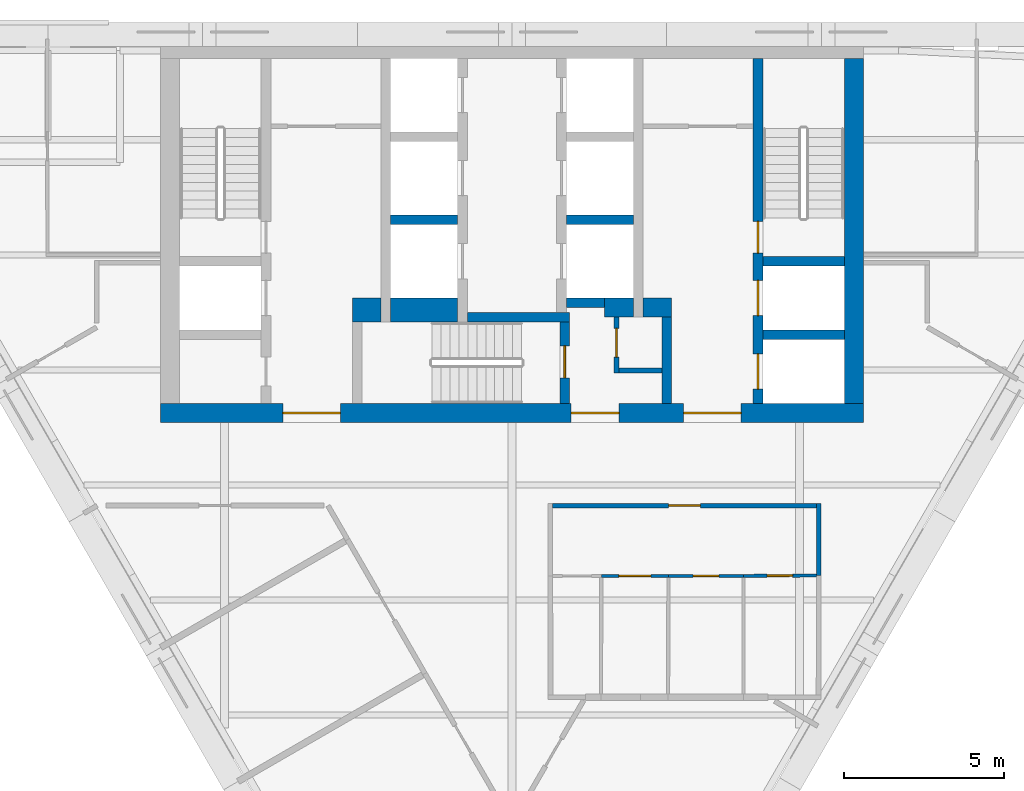
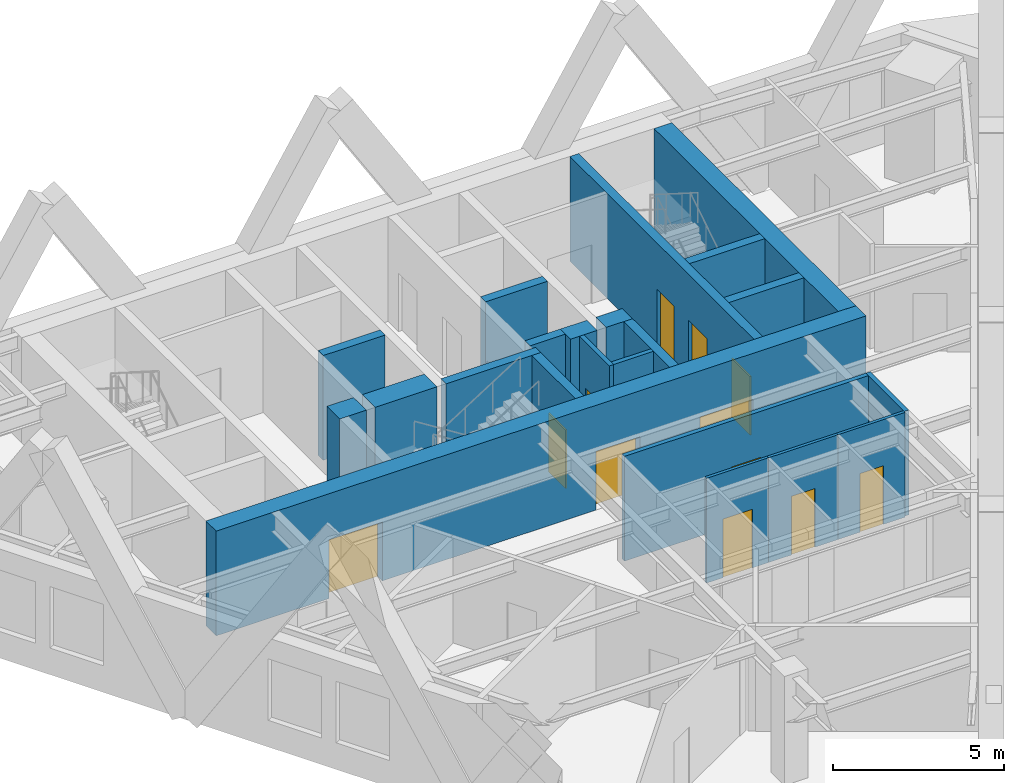
# One storey, part 4 of 7: 22 walls, 12 doors, 12 openings.
"""IFC4 building model written with IfcOpenShell, lengths in metres."""

from ifc_helpers import new_model, si_unit, direction, frame, frame_2d, origin, place, context, subcontext, project, spatial, rectangle, extrude, material, layer, layer_set, type_object, element, fill, save


model = new_model("IFC4")

# Units and contexts
model_context = context("Model", 3, precision=1e-05, world=origin(), true_north=direction((0.0, 1.0)))
body_context = subcontext(model_context, "Body", "Model", "MODEL_VIEW")
ifc_project = project(units=[si_unit("LENGTHUNIT", "METRE"), si_unit("AREAUNIT", "SQUARE_METRE"), si_unit("VOLUMEUNIT", "CUBIC_METRE"), si_unit("PLANEANGLEUNIT", "RADIAN"), si_unit("MASSUNIT", "GRAM", prefix="KILO")], contexts=[model_context])

# Site, building, storey
site_placement = place(None, origin())
site = spatial("IfcSite", under=ifc_project, at=site_placement, CompositionType="ELEMENT")
building_placement = place(site_placement, origin())
building = spatial("IfcBuilding", under=site, at=building_placement, Name="Aloe Facet Convention Tower", CompositionType="ELEMENT")
storey_placement = place(building_placement, frame((0.0, 0.0, 188.0)))
storey = spatial("IfcBuildingStorey", under=building, at=storey_placement, Name="L47", CompositionType="ELEMENT", Elevation=188.0)

# Wall, opening, door
ifc_material_1 = material(Name="Concrete blockwork partition", Category="masonry")
ifc_layer_1 = layer(ifc_material_1, 0.14990234375)
ifc_layer_set_1 = layer_set([ifc_layer_1], Name="CR-W-PART150")
wall_type_1 = type_object("IfcWallType", Name="CR-W-PART150", PredefinedType="PARTITIONING", material=ifc_layer_set_1)
wall_1_placement = place(storey_placement, frame((83.27490234375, 125.85009765625, 0.0), z_axis=(0.0, 0.0, 1.0), x_axis=(0.0, -1.0, 0.0)))
wall_1 = element("IfcWall", 1, at=wall_1_placement, inside=storey, type_object=wall_type_1, Name="Core partition L47-022", PredefinedType="PARTITIONING", context=body_context, shape_type="SweptSolid", body=[
    extrude(rectangle(XDim=1.75, YDim=0.14990234375, at=frame_2d((0.875, 0.0))), origin(), (0.0, 0.0, 1.0), 3.75),
])
opening_1_placement = place(wall_1_placement, frame((0.35009765625, 0.0, 0.0)))
opening_1 = element("IfcOpeningElement", 2, at=opening_1_placement, cuts=wall_1, Name="Opening L47-CD12", PredefinedType="OPENING", context=body_context, shape_type="SweptSolid", body=[
    extrude(rectangle(XDim=0.89990234375, YDim=2.10009765625, at=frame_2d((0.449951171875, 1.050048828125))), frame((0.0, 0.0849609375, 0.0), z_axis=(0.0, -1.0, 0.0), x_axis=(1.0, 0.0, 0.0)), (0.0, 0.0, 1.0), 0.169921875),
])
ifc_material_2 = material(Name="Steel fire-resisting door set FD60", Category="steel")
door_type_1 = type_object("IfcDoorType", Name="CR-D-REFUGE-900-FD60-SRIGHT", OperationType="SINGLE_SWING_RIGHT", PredefinedType="DOOR", material=ifc_material_2)
door_1_placement = place(opening_1_placement, origin())
door_1 = element("IfcDoor", 3, at=door_1_placement, inside=storey, type_object=door_type_1, Name="Core door L47-CD12", OperationType="SINGLE_SWING_RIGHT", OverallHeight=2.10009765625, OverallWidth=0.89990234375, PredefinedType="DOOR", context=body_context, shape_type="SweptSolid", body=[
    extrude(rectangle(XDim=0.89990234375, YDim=2.10009765625, at=frame_2d((0.449951171875, 1.050048828125))), frame((0.0, 0.02490234375, 0.0), z_axis=(0.0, -1.0, 0.0), x_axis=(1.0, 0.0, 0.0)), (0.0, 0.0, 1.0), 0.050048828125),
])
fill(opening_1, door_1)

# Walls
wall_2_placement = place(storey_placement, frame((83.35009765625, 124.175048828125, 0.0), z_axis=(0.0, 0.0, 1.0), x_axis=(1.0, 0.0, 0.0)))
element("IfcWall", 4, at=wall_2_placement, inside=storey, type_object=wall_type_1, Name="Core partition L47-023", PredefinedType="PARTITIONING", context=body_context, shape_type="SweptSolid", body=[
    extrude(rectangle(XDim=1.349853515625, YDim=0.14990234375, at=frame_2d((0.6748046875, 0.0))), origin(), (0.0, 0.0, 1.0), 3.75),
])
ifc_material_3 = material(Name="Concrete C50/60", Category="concrete")
ifc_layer_2 = layer(ifc_material_3, 0.300048828125)
ifc_layer_set_2 = layer_set([ifc_layer_2], Name="CR-W-RC300-C5060")
wall_type_2 = type_object("IfcWallType", Name="CR-W-RC300-C5060", PredefinedType="SOLIDWALL", material=ifc_layer_set_2)
wall_3_placement = place(storey_placement, frame((76.199951171875, 128.89990234375, 0.0), z_axis=(0.0, 0.0, 1.0), x_axis=(1.0, 0.0, 0.0)))
element("IfcWall", 5, at=wall_3_placement, inside=storey, type_object=wall_type_2, Name="Core wall L47-012", PredefinedType="SOLIDWALL", context=body_context, shape_type="SweptSolid", body=[
    extrude(rectangle(XDim=2.10009765625, YDim=0.300048828125, at=frame_2d((1.050048828125, 0.0))), origin(), (0.0, 0.0, 1.0), 3.75),
])
wall_4_placement = place(storey_placement, frame((78.60009765625, 125.85009765625, 0.0), z_axis=(0.0, 0.0, 1.0), x_axis=(1.0, 0.0, 0.0)))
element("IfcWall", 6, at=wall_4_placement, inside=storey, type_object=wall_type_2, Name="Core wall L47-015", PredefinedType="SOLIDWALL", context=body_context, shape_type="SweptSolid", body=[
    extrude(rectangle(XDim=3.199951171875, YDim=0.300048828125, at=frame_2d((1.60009765625, 0.0))), origin(), (0.0, 0.0, 1.0), 3.75),
])

# Wall, opening, door
wall_5_placement = place(storey_placement, frame((81.64990234375, 125.699951171875, 0.0), z_axis=(0.0, 0.0, 1.0), x_axis=(0.0, -1.0, 0.0)))
wall_5 = element("IfcWall", 7, at=wall_5_placement, inside=storey, type_object=wall_type_2, Name="Core wall L47-017", PredefinedType="SOLIDWALL", context=body_context, shape_type="SweptSolid", body=[
    extrude(rectangle(XDim=2.550048828125, YDim=0.300048828125, at=frame_2d((1.27490234375, 0.0))), origin(), (0.0, 0.0, 1.0), 3.75),
])
opening_2_placement = place(wall_5_placement, frame((0.75, 0.0, 0.0)))
opening_2 = element("IfcOpeningElement", 8, at=opening_2_placement, cuts=wall_5, Name="Opening L47-CD18", PredefinedType="OPENING", context=body_context, shape_type="SweptSolid", body=[
    extrude(rectangle(XDim=1.0, YDim=2.10009765625, at=frame_2d((0.5, 1.050048828125))), frame((0.0, 0.16015625, 0.0), z_axis=(0.0, -1.0, 0.0), x_axis=(1.0, 0.0, 0.0)), (0.0, 0.0, 1.0), 0.320068359375),
])
ifc_material_4 = material(Name="Steel fire-resisting door set FD120", Category="steel")
door_type_2 = type_object("IfcDoorType", Name="CR-D-STAIR-1000-FD120-SLEFT", OperationType="SINGLE_SWING_LEFT", PredefinedType="DOOR", material=ifc_material_4)
door_2_placement = place(opening_2_placement, origin())
door_2 = element("IfcDoor", 9, at=door_2_placement, inside=storey, type_object=door_type_2, Name="Core door L47-CD18", OperationType="SINGLE_SWING_LEFT", OverallHeight=2.10009765625, OverallWidth=1.0, PredefinedType="DOOR", context=body_context, shape_type="SweptSolid", body=[
    extrude(rectangle(XDim=1.0, YDim=2.10009765625, at=frame_2d((0.5, 1.050048828125))), frame((0.0, 0.02490234375, 0.0), z_axis=(0.0, -1.0, 0.0), x_axis=(1.0, 0.0, 0.0)), (0.0, 0.0, 1.0), 0.050048828125),
])
fill(opening_2, door_2)

# Walls
wall_6_placement = place(storey_placement, frame((81.699951171875, 128.89990234375, 0.0), z_axis=(0.0, 0.0, 1.0), x_axis=(1.0, 0.0, 0.0)))
element("IfcWall", 10, at=wall_6_placement, inside=storey, type_object=wall_type_2, Name="Core wall L47-019", PredefinedType="SOLIDWALL", context=body_context, shape_type="SweptSolid", body=[
    extrude(rectangle(XDim=2.10009765625, YDim=0.300048828125, at=frame_2d((1.050048828125, 0.0))), origin(), (0.0, 0.0, 1.0), 3.75),
])
wall_7_placement = place(storey_placement, frame((81.699951171875, 126.300048828125, 0.0), z_axis=(0.0, 0.0, 1.0), x_axis=(1.0, 0.0, 0.0)))
element("IfcWall", 11, at=wall_7_placement, inside=storey, type_object=wall_type_2, Name="Core wall L47-020", PredefinedType="SOLIDWALL", context=body_context, shape_type="SweptSolid", body=[
    extrude(rectangle(XDim=1.199951171875, YDim=0.300048828125, at=frame_2d((0.60009765625, 0.0))), origin(), (0.0, 0.0, 1.0), 3.75),
])
wall_8_placement = place(storey_placement, frame((84.85009765625, 125.85009765625, 0.0), z_axis=(0.0, 0.0, 1.0), x_axis=(0.0, -1.0, 0.0)))
element("IfcWall", 12, at=wall_8_placement, inside=storey, type_object=wall_type_2, Name="Core wall L47-027", PredefinedType="SOLIDWALL", context=body_context, shape_type="SweptSolid", body=[
    extrude(rectangle(XDim=2.7001953125, YDim=0.300048828125, at=frame_2d((1.35009765625, 0.0))), origin(), (0.0, 0.0, 1.0), 3.75),
])

# Wall, openings, doors
wall_9_placement = place(storey_placement, frame((87.699951171875, 133.949951171875, 0.0), z_axis=(0.0, 0.0, 1.0), x_axis=(0.0, -1.0, 0.0)))
wall_9 = element("IfcWall", 13, at=wall_9_placement, inside=storey, type_object=wall_type_2, Name="Core wall L47-028", PredefinedType="SOLIDWALL", context=body_context, shape_type="SweptSolid", body=[
    extrude(rectangle(XDim=10.800048828125, YDim=0.300048828125, at=frame_2d((5.39990234375, 0.0))), origin(), (0.0, 0.0, 1.0), 3.75),
])
opening_3_placement = place(wall_9_placement, frame((6.949951171875, 0.0, 0.0)))
opening_3 = element("IfcOpeningElement", 14, at=opening_3_placement, cuts=wall_9, Name="Opening LD-FF2-L47", PredefinedType="OPENING", context=body_context, shape_type="SweptSolid", body=[
    extrude(rectangle(XDim=1.10009765625, YDim=2.10009765625, at=frame_2d((0.550048828125, 1.050048828125))), frame((0.0, 0.16015625, 0.0), z_axis=(0.0, -1.0, 0.0), x_axis=(1.0, 0.0, 0.0)), (0.0, 0.0, 1.0), 0.320068359375),
])
opening_4_placement = place(wall_9_placement, frame((5.10009765625, 0.0, 0.0)))
opening_4 = element("IfcOpeningElement", 15, at=opening_4_placement, cuts=wall_9, Name="Opening L47-CD17", PredefinedType="OPENING", context=body_context, shape_type="SweptSolid", body=[
    extrude(rectangle(XDim=1.0, YDim=2.10009765625, at=frame_2d((0.5, 1.050048828125))), frame((0.0, 0.16015625, 0.0), z_axis=(0.0, -1.0, 0.0), x_axis=(1.0, 0.0, 0.0)), (0.0, 0.0, 1.0), 0.320068359375),
])
opening_5_placement = place(wall_9_placement, frame((9.25, 0.0, 0.0)))
opening_5 = element("IfcOpeningElement", 16, at=opening_5_placement, cuts=wall_9, Name="Opening LD-SV1-L47", PredefinedType="OPENING", context=body_context, shape_type="SweptSolid", body=[
    extrude(rectangle(XDim=1.10009765625, YDim=2.10009765625, at=frame_2d((0.550048828125, 1.050048828125))), frame((0.0, 0.16015625, 0.0), z_axis=(0.0, -1.0, 0.0), x_axis=(1.0, 0.0, 0.0)), (0.0, 0.0, 1.0), 0.320068359375),
])
door_3_placement = place(opening_4_placement, origin())
door_3 = element("IfcDoor", 17, at=door_3_placement, inside=storey, type_object=door_type_2, Name="Core door L47-CD17", OperationType="SINGLE_SWING_LEFT", OverallHeight=2.10009765625, OverallWidth=1.0, PredefinedType="DOOR", context=body_context, shape_type="SweptSolid", body=[
    extrude(rectangle(XDim=1.0, YDim=2.10009765625, at=frame_2d((0.5, 1.050048828125))), frame((0.0, 0.02490234375, 0.0), z_axis=(0.0, -1.0, 0.0), x_axis=(1.0, 0.0, 0.0)), (0.0, 0.0, 1.0), 0.050048828125),
])
fill(opening_4, door_3)
ifc_material_5 = material(Name="Stainless steel sliding landing door", Category="steel")
door_type_3 = type_object("IfcDoorType", Name="CR-LD-1100-FD120-_LEFT", OperationType="SLIDING_TO_LEFT", PredefinedType="DOOR", material=ifc_material_5)
door_4_placement = place(opening_3_placement, origin())
door_4 = element("IfcDoor", 18, at=door_4_placement, inside=storey, type_object=door_type_3, Name="Landing door FF2 L47", OperationType="SLIDING_TO_LEFT", OverallHeight=2.10009765625, OverallWidth=1.10009765625, PredefinedType="DOOR", context=body_context, shape_type="SweptSolid", body=[
    extrude(rectangle(XDim=1.10009765625, YDim=2.10009765625, at=frame_2d((0.550048828125, 1.050048828125))), frame((0.0, 0.02490234375, 0.0), z_axis=(0.0, -1.0, 0.0), x_axis=(1.0, 0.0, 0.0)), (0.0, 0.0, 1.0), 0.050048828125),
])
fill(opening_3, door_4)
door_5_placement = place(opening_5_placement, origin())
door_5 = element("IfcDoor", 19, at=door_5_placement, inside=storey, type_object=door_type_3, Name="Landing door SV1 L47", OperationType="SLIDING_TO_LEFT", OverallHeight=2.10009765625, OverallWidth=1.10009765625, PredefinedType="DOOR", context=body_context, shape_type="SweptSolid", body=[
    extrude(rectangle(XDim=1.10009765625, YDim=2.10009765625, at=frame_2d((0.550048828125, 1.050048828125))), frame((0.0, 0.02490234375, 0.0), z_axis=(0.0, -1.0, 0.0), x_axis=(1.0, 0.0, 0.0)), (0.0, 0.0, 1.0), 0.050048828125),
])
fill(opening_5, door_5)

# Walls
for number, where, z_axis, x_axis, name in (
    (20, (87.85009765625, 127.60009765625, 0.0), (0.0, 0.0, 1.0), (1.0, 0.0, 0.0), "Core wall L47-029"),
    (21, (87.85009765625, 125.300048828125, 0.0), (0.0, 0.0, 1.0), (1.0, 0.0, 0.0), "Core wall L47-030"),
):
    element("IfcWall", number, at=place(storey_placement, frame(where, z_axis=z_axis, x_axis=x_axis)), inside=storey, type_object=wall_type_2, Name=name, PredefinedType="SOLIDWALL", context=body_context, shape_type="SweptSolid", body=[
        extrude(rectangle(XDim=2.5498046875, YDim=0.300048828125, at=frame_2d((1.27490234375, 0.0))), origin(), (0.0, 0.0, 1.0), 3.75),
    ])

# Wall, openings, doors
ifc_material_6 = material(Name="Concrete C50/60", Category="concrete")
ifc_layer_3 = layer(ifc_material_6, 0.60009765625)
ifc_layer_set_3 = layer_set([ifc_layer_3], Name="CR-W-RC600-C5060")
wall_type_3 = type_object("IfcWallType", Name="CR-W-RC600-C5060", PredefinedType="SOLIDWALL", material=ifc_layer_set_3)
wall_10_placement = place(storey_placement, frame((69.0, 122.85009765625, 0.0), z_axis=(0.0, 0.0, 1.0), x_axis=(1.0, 0.0, 0.0)))
wall_10 = element("IfcWall", 22, at=wall_10_placement, inside=storey, type_object=wall_type_3, Name="Core wall L47-003", PredefinedType="SOLIDWALL", context=body_context, shape_type="SweptSolid", body=[
    extrude(rectangle(XDim=22.0, YDim=0.60009765625, at=frame_2d((11.0, 0.0))), origin(), (0.0, 0.0, 1.0), 3.75),
])
opening_6_placement = place(wall_10_placement, frame((16.375, 0.0, 0.0)))
opening_6 = element("IfcOpeningElement", 23, at=opening_6_placement, cuts=wall_10, Name="Opening L47-CD09", PredefinedType="OPENING", context=body_context, shape_type="SweptSolid", body=[
    extrude(rectangle(XDim=1.800048828125, YDim=2.10009765625, at=frame_2d((0.89990234375, 1.050048828125))), frame((0.0, 0.31005859375, 0.0), z_axis=(0.0, -1.0, 0.0), x_axis=(1.0, 0.0, 0.0)), (0.0, 0.0, 1.0), 0.6201171875),
])
opening_7_placement = place(wall_10_placement, frame((3.824951171875, 0.0, 0.0)))
opening_7 = element("IfcOpeningElement", 24, at=opening_7_placement, cuts=wall_10, Name="Opening L47-CD10", PredefinedType="OPENING", context=body_context, shape_type="SweptSolid", body=[
    extrude(rectangle(XDim=1.800048828125, YDim=2.10009765625, at=frame_2d((0.89990234375, 1.050048828125))), frame((0.0, 0.31005859375, 0.0), z_axis=(0.0, -1.0, 0.0), x_axis=(1.0, 0.0, 0.0)), (0.0, 0.0, 1.0), 0.6201171875),
])
opening_8_placement = place(wall_10_placement, frame((12.85009765625, 0.0, 0.0)))
opening_8 = element("IfcOpeningElement", 25, at=opening_8_placement, cuts=wall_10, Name="Opening L47-CD11", PredefinedType="OPENING", context=body_context, shape_type="SweptSolid", body=[
    extrude(rectangle(XDim=1.5, YDim=2.10009765625, at=frame_2d((0.75, 1.050048828125))), frame((0.0, 0.31005859375, 0.0), z_axis=(0.0, -1.0, 0.0), x_axis=(1.0, 0.0, 0.0)), (0.0, 0.0, 1.0), 0.6201171875),
])
ifc_material_7 = material(Name="Steel fire-resisting door set FD60", Category="steel")
door_type_4 = type_object("IfcDoorType", Name="CR-D-EXIT-1500-FD60-DD", OperationType="DOUBLE_DOOR_DOUBLE_SWING", PredefinedType="DOOR", material=ifc_material_7)
door_6_placement = place(opening_8_placement, origin())
door_6 = element("IfcDoor", 26, at=door_6_placement, inside=storey, type_object=door_type_4, Name="Core door L47-CD11", OperationType="DOUBLE_DOOR_DOUBLE_SWING", OverallHeight=2.10009765625, OverallWidth=1.5, PredefinedType="DOOR", context=body_context, shape_type="SweptSolid", body=[
    extrude(rectangle(XDim=1.5, YDim=2.10009765625, at=frame_2d((0.75, 1.050048828125))), frame((0.0, 0.02490234375, 0.0), z_axis=(0.0, -1.0, 0.0), x_axis=(1.0, 0.0, 0.0)), (0.0, 0.0, 1.0), 0.050048828125),
])
fill(opening_8, door_6)
ifc_material_8 = material(Name="Steel fire-resisting door set FD120", Category="steel")
door_type_5 = type_object("IfcDoorType", Name="CR-D-EXIT-1800-FD120-DD", OperationType="DOUBLE_DOOR_DOUBLE_SWING", PredefinedType="DOOR", material=ifc_material_8)
door_7_placement = place(opening_6_placement, origin())
door_7 = element("IfcDoor", 27, at=door_7_placement, inside=storey, type_object=door_type_5, Name="Core door L47-CD09", OperationType="DOUBLE_DOOR_DOUBLE_SWING", OverallHeight=2.10009765625, OverallWidth=1.800048828125, PredefinedType="DOOR", context=body_context, shape_type="SweptSolid", body=[
    extrude(rectangle(XDim=1.800048828125, YDim=2.10009765625, at=frame_2d((0.89990234375, 1.050048828125))), frame((0.0, 0.02490234375, 0.0), z_axis=(0.0, -1.0, 0.0), x_axis=(1.0, 0.0, 0.0)), (0.0, 0.0, 1.0), 0.050048828125),
])
fill(opening_6, door_7)
door_8_placement = place(opening_7_placement, origin())
door_8 = element("IfcDoor", 28, at=door_8_placement, inside=storey, type_object=door_type_5, Name="Core door L47-CD10", OperationType="DOUBLE_DOOR_DOUBLE_SWING", OverallHeight=2.10009765625, OverallWidth=1.800048828125, PredefinedType="DOOR", context=body_context, shape_type="SweptSolid", body=[
    extrude(rectangle(XDim=1.800048828125, YDim=2.10009765625, at=frame_2d((0.89990234375, 1.050048828125))), frame((0.0, 0.02490234375, 0.0), z_axis=(0.0, -1.0, 0.0), x_axis=(1.0, 0.0, 0.0)), (0.0, 0.0, 1.0), 0.050048828125),
])
fill(opening_7, door_8)

# Walls
wall_11_placement = place(storey_placement, frame((82.89990234375, 126.14990234375, 0.0), z_axis=(0.0, 0.0, 1.0), x_axis=(1.0, 0.0, 0.0)))
element("IfcWall", 29, at=wall_11_placement, inside=storey, type_object=wall_type_3, Name="Core wall L47-021", PredefinedType="SOLIDWALL", context=body_context, shape_type="SweptSolid", body=[
    extrude(rectangle(XDim=0.900146484375, YDim=0.60009765625, at=frame_2d((0.4501953125, 0.0))), origin(), (0.0, 0.0, 1.0), 3.75),
])
wall_12_placement = place(storey_placement, frame((84.10009765625, 126.14990234375, 0.0), z_axis=(0.0, 0.0, 1.0), x_axis=(1.0, 0.0, 0.0)))
element("IfcWall", 30, at=wall_12_placement, inside=storey, type_object=wall_type_3, Name="Core wall L47-026", PredefinedType="SOLIDWALL", context=body_context, shape_type="SweptSolid", body=[
    extrude(rectangle(XDim=0.89990234375, YDim=0.60009765625, at=frame_2d((0.449951171875, 0.0))), origin(), (0.0, 0.0, 1.0), 3.75),
])
wall_13_placement = place(storey_placement, frame((90.699951171875, 133.949951171875, 0.0), z_axis=(0.0, 0.0, 1.0), x_axis=(0.0, -1.0, 0.0)))
element("IfcWall", 31, at=wall_13_placement, inside=storey, type_object=wall_type_3, Name="Core wall L47-031", PredefinedType="SOLIDWALL", context=body_context, shape_type="SweptSolid", body=[
    extrude(rectangle(XDim=10.800048828125, YDim=0.60009765625, at=frame_2d((5.39990234375, 0.0))), origin(), (0.0, 0.0, 1.0), 3.75),
])
ifc_material_9 = material(Name="Concrete C50/60", Category="concrete")
ifc_layer_4 = layer(ifc_material_9, 0.75)
ifc_layer_set_4 = layer_set([ifc_layer_4], Name="CR-W-RC750-C5060")
wall_type_4 = type_object("IfcWallType", Name="CR-W-RC750-C5060", PredefinedType="SOLIDWALL", material=ifc_layer_set_4)
wall_14_placement = place(storey_placement, frame((75.0, 126.074951171875, 0.0), z_axis=(0.0, 0.0, 1.0), x_axis=(1.0, 0.0, 0.0)))
element("IfcWall", 32, at=wall_14_placement, inside=storey, type_object=wall_type_4, Name="Core wall L47-008", PredefinedType="SOLIDWALL", context=body_context, shape_type="SweptSolid", body=[
    extrude(rectangle(XDim=0.89990234375, YDim=0.75, at=frame_2d((0.449951171875, 0.0))), origin(), (0.0, 0.0, 1.0), 3.75),
])
wall_15_placement = place(storey_placement, frame((76.199951171875, 126.074951171875, 0.0), z_axis=(0.0, 0.0, 1.0), x_axis=(1.0, 0.0, 0.0)))
element("IfcWall", 33, at=wall_15_placement, inside=storey, type_object=wall_type_4, Name="Core wall L47-013", PredefinedType="SOLIDWALL", context=body_context, shape_type="SweptSolid", body=[
    extrude(rectangle(XDim=2.10009765625, YDim=0.75, at=frame_2d((1.050048828125, 0.0))), origin(), (0.0, 0.0, 1.0), 3.75),
])
ifc_material_10 = material(Name="Gypsum board partition on steel studs", Category="steel")
ifc_layer_5 = layer(ifc_material_10, 0.14990234375)
ifc_layer_set_5 = layer_set([ifc_layer_5], Name="IN-W-CORR")
wall_type_5 = type_object("IfcWallType", Name="IN-W-CORR", PredefinedType="PARTITIONING", material=ifc_layer_set_5)
wall_16_placement = place(storey_placement, frame((89.60009765625, 117.760009765625, 0.0), z_axis=(0.0, 0.0, 1.0), x_axis=(0.0, 1.0, 0.0)))
element("IfcWall", 34, at=wall_16_placement, inside=storey, type_object=wall_type_5, Name="Partition L47-W019", PredefinedType="PARTITIONING", context=body_context, shape_type="SweptSolid", body=[
    extrude(rectangle(XDim=2.262939453125, YDim=0.14990234375, at=frame_2d((1.13134765625, 0.0))), origin(), (0.0, 0.0, 1.0), 3.75),
])

# Wall, opening, door
wall_17_placement = place(storey_placement, frame((81.27490234375, 119.947998046875, 0.0), z_axis=(0.0, 0.0, 1.0), x_axis=(1.0, 0.0, 0.0)))
wall_17 = element("IfcWall", 35, at=wall_17_placement, inside=storey, type_object=wall_type_5, Name="Partition L47-W032", PredefinedType="PARTITIONING", context=body_context, shape_type="SweptSolid", body=[
    extrude(rectangle(XDim=8.25, YDim=0.14990234375, at=frame_2d((4.125, 0.0))), origin(), (0.0, 0.0, 1.0), 3.75),
])
opening_9_placement = place(wall_17_placement, frame((3.625, 0.0, 0.0)))
opening_9 = element("IfcOpeningElement", 36, at=opening_9_placement, cuts=wall_17, Name="Opening L47-001", PredefinedType="OPENING", context=body_context, shape_type="SweptSolid", body=[
    extrude(rectangle(XDim=1.0, YDim=2.10009765625, at=frame_2d((0.5, 1.050048828125))), frame((0.0, 0.0849609375, 0.0), z_axis=(0.0, -1.0, 0.0), x_axis=(1.0, 0.0, 0.0)), (0.0, 0.0, 1.0), 0.169921875),
])
ifc_material_11 = material(Name="Timber door FD30S with vision panel", Category="wood")
door_type_6 = type_object("IfcDoorType", Name="IN-OFF-D-ENTRY", OperationType="SINGLE_SWING_LEFT", PredefinedType="DOOR", material=ifc_material_11)
door_9_placement = place(opening_9_placement, origin())
door_9 = element("IfcDoor", 37, at=door_9_placement, inside=storey, type_object=door_type_6, Name="Door L47-001", OperationType="SINGLE_SWING_LEFT", OverallHeight=2.10009765625, OverallWidth=1.0, PredefinedType="DOOR", context=body_context, shape_type="SweptSolid", body=[
    extrude(rectangle(XDim=1.0, YDim=2.10009765625, at=frame_2d((0.5, 1.050048828125))), frame((0.0, 0.02490234375, 0.0), z_axis=(0.0, -1.0, 0.0), x_axis=(1.0, 0.0, 0.0)), (0.0, 0.0, 1.0), 0.050048828125),
])
fill(opening_9, door_9)

ifc_material_12 = material(Name="Gypsum board partition on steel studs", Category="steel")
ifc_layer_6 = layer(ifc_material_12, 0.10009765625)
ifc_layer_set_6 = layer_set([ifc_layer_6], Name="IN-W-PART")
wall_type_6 = type_object("IfcWallType", Name="IN-W-PART", PredefinedType="PARTITIONING", material=ifc_layer_set_6)
wall_18_placement = place(storey_placement, frame((82.7958984375, 117.75, 0.0), z_axis=(0.0, 0.0, 1.0), x_axis=(1.0, 0.0, 0.0)))
wall_18 = element("IfcWall", 38, at=wall_18_placement, inside=storey, type_object=wall_type_6, Name="Partition L47-W023", PredefinedType="PARTITIONING", context=body_context, shape_type="SweptSolid", body=[
    extrude(rectangle(XDim=2.10009765625, YDim=0.10009765625, at=frame_2d((1.050048828125, 0.0))), origin(), (0.0, 0.0, 1.0), 3.75),
])
opening_10_placement = place(wall_18_placement, frame((0.550048828125, 0.0, 0.0)))
opening_10 = element("IfcOpeningElement", 39, at=opening_10_placement, cuts=wall_18, Name="Opening L47-003", PredefinedType="OPENING", context=body_context, shape_type="SweptSolid", body=[
    extrude(rectangle(XDim=1.0, YDim=2.10009765625, at=frame_2d((0.5, 1.050048828125))), frame((0.0, 0.06005859375, 0.0), z_axis=(0.0, -1.0, 0.0), x_axis=(1.0, 0.0, 0.0)), (0.0, 0.0, 1.0), 0.1201171875),
])
ifc_material_13 = material(Name="Timber door", Category="wood")
door_type_7 = type_object("IfcDoorType", Name="IN-OFF-D-WIDE", OperationType="SINGLE_SWING_LEFT", PredefinedType="DOOR", material=ifc_material_13)
door_10_placement = place(opening_10_placement, origin())
door_10 = element("IfcDoor", 40, at=door_10_placement, inside=storey, type_object=door_type_7, Name="Door L47-003", OperationType="SINGLE_SWING_LEFT", OverallHeight=2.10009765625, OverallWidth=1.0, PredefinedType="DOOR", context=body_context, shape_type="SweptSolid", body=[
    extrude(rectangle(XDim=1.0, YDim=2.10009765625, at=frame_2d((0.5, 1.050048828125))), frame((0.0, 0.02490234375, 0.0), z_axis=(0.0, -1.0, 0.0), x_axis=(1.0, 0.0, 0.0)), (0.0, 0.0, 1.0), 0.050048828125),
])
fill(opening_10, door_10)

wall_19_placement = place(storey_placement, frame((84.89599609375, 117.75, 0.0), z_axis=(0.0, 0.0, 1.0), x_axis=(1.0, 0.0, 0.0)))
wall_19 = element("IfcWall", 41, at=wall_19_placement, inside=storey, type_object=wall_type_6, Name="Partition L47-W025", PredefinedType="PARTITIONING", context=body_context, shape_type="SweptSolid", body=[
    extrude(rectangle(XDim=2.35205078125, YDim=0.10009765625, at=frame_2d((1.176025390625, 0.0))), origin(), (0.0, 0.0, 1.0), 3.75),
])
opening_11_placement = place(wall_19_placement, frame((0.77587890625, 0.0, 0.0)))
opening_11 = element("IfcOpeningElement", 42, at=opening_11_placement, cuts=wall_19, Name="Opening L47-004", PredefinedType="OPENING", context=body_context, shape_type="SweptSolid", body=[
    extrude(rectangle(XDim=0.800048828125, YDim=2.10009765625, at=frame_2d((0.39990234375, 1.050048828125))), frame((0.0, 0.06005859375, 0.0), z_axis=(0.0, -1.0, 0.0), x_axis=(1.0, 0.0, 0.0)), (0.0, 0.0, 1.0), 0.1201171875),
])
ifc_material_14 = material(Name="Timber door", Category="wood")
door_type_8 = type_object("IfcDoorType", Name="IN-OFF-D-WC", OperationType="SINGLE_SWING_LEFT", PredefinedType="DOOR", material=ifc_material_14)
door_11_placement = place(opening_11_placement, origin())
door_11 = element("IfcDoor", 43, at=door_11_placement, inside=storey, type_object=door_type_8, Name="Door L47-004", OperationType="SINGLE_SWING_LEFT", OverallHeight=2.10009765625, OverallWidth=0.800048828125, PredefinedType="DOOR", context=body_context, shape_type="SweptSolid", body=[
    extrude(rectangle(XDim=0.800048828125, YDim=2.10009765625, at=frame_2d((0.39990234375, 1.050048828125))), frame((0.0, 0.02490234375, 0.0), z_axis=(0.0, -1.0, 0.0), x_axis=(1.0, 0.0, 0.0)), (0.0, 0.0, 1.0), 0.050048828125),
])
fill(opening_11, door_11)

wall_20_placement = place(storey_placement, frame((87.248046875, 117.75, 0.0), z_axis=(0.0, 0.0, 1.0), x_axis=(0.999990802005, 0.00428904483, 0.0)))
wall_20 = element("IfcWall", 44, at=wall_20_placement, inside=storey, type_object=wall_type_6, Name="Partition L47-W026", PredefinedType="PARTITIONING", context=body_context, shape_type="SweptSolid", body=[
    extrude(rectangle(XDim=2.27685546875, YDim=0.10009765625, at=frame_2d((1.138427734375, 0.0))), origin(), (0.0, 0.0, 1.0), 3.75),
])
opening_12_placement = place(wall_20_placement, frame((0.738525390625, 0.0, 0.0)))
opening_12 = element("IfcOpeningElement", 45, at=opening_12_placement, cuts=wall_20, Name="Opening L47-005", PredefinedType="OPENING", context=body_context, shape_type="SweptSolid", body=[
    extrude(rectangle(XDim=0.800048828125, YDim=2.10009765625, at=frame_2d((0.39990234375, 1.050048828125))), frame((0.0, 0.06005859375, 0.0), z_axis=(0.0, -1.0, 0.0), x_axis=(1.0, 0.0, 0.0)), (0.0, 0.0, 1.0), 0.1201171875),
])
door_12_placement = place(opening_12_placement, origin())
door_12 = element("IfcDoor", 46, at=door_12_placement, inside=storey, type_object=door_type_8, Name="Door L47-005", OperationType="SINGLE_SWING_LEFT", OverallHeight=2.10009765625, OverallWidth=0.800048828125, PredefinedType="DOOR", context=body_context, shape_type="SweptSolid", body=[
    extrude(rectangle(XDim=0.800048828125, YDim=2.10009765625, at=frame_2d((0.39990234375, 1.050048828125))), frame((0.0, 0.02490234375, 0.0), z_axis=(0.0, -1.0, 0.0), x_axis=(1.0, 0.0, 0.0)), (0.0, 0.0, 1.0), 0.050048828125),
])
fill(opening_12, door_12)

save(model, "model.ifc")
